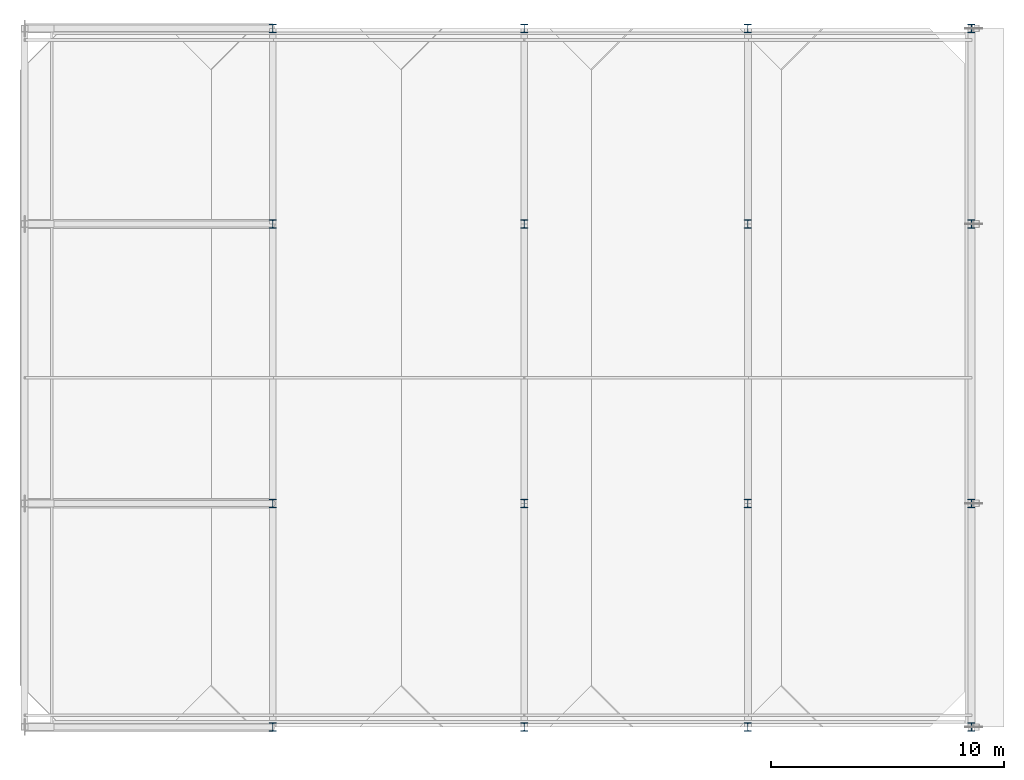
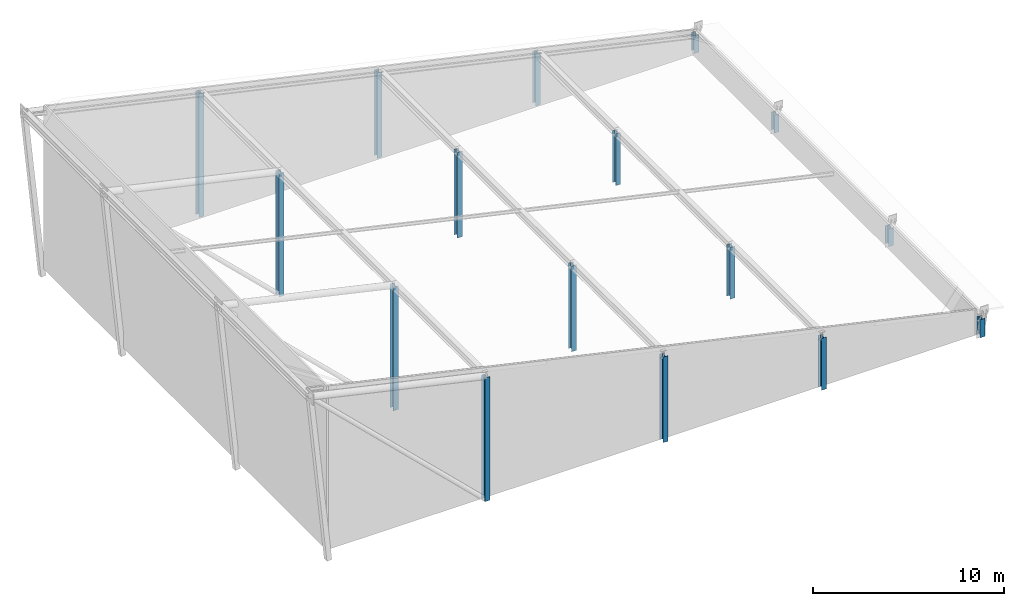
# One storey, part 1 of 4: 16 columns.
"""IFC4 building model written with IfcOpenShell, lengths in metres."""

from ifc_helpers import new_model, si_unit, direction, frame, origin, origin_2d, place, context, subcontext, project, spatial, i_section, extrude, material, material_profile, profile_set, type_object, element, save


model = new_model("IFC4")

# Units and contexts
model_context = context("Model", 3, precision=1e-05, world=origin(), true_north=direction((0.0, 1.0)))
body_context = subcontext(model_context, "Body", "Model", "MODEL_VIEW")
ifc_project = project(units=[si_unit("LENGTHUNIT", "METRE"), si_unit("AREAUNIT", "SQUARE_METRE"), si_unit("VOLUMEUNIT", "CUBIC_METRE"), si_unit("PLANEANGLEUNIT", "RADIAN"), si_unit("MASSUNIT", "GRAM", prefix="KILO")], contexts=[model_context])

# Site, building, storey
site_placement = place(None, origin())
site = spatial("IfcSite", under=ifc_project, at=site_placement, CompositionType="ELEMENT")
building_placement = place(site_placement, origin())
building = spatial("IfcBuilding", under=site, at=building_placement, Name="Zereglee Splitstone Museum", CompositionType="ELEMENT")
storey_placement = place(building_placement, frame((0.0, 0.0, 29.699951171875)))
storey = spatial("IfcBuildingStorey", under=building, at=storey_placement, Name="RF", CompositionType="ELEMENT", Elevation=29.699951171875)

# Columns
ifc_material = material(Name="Steel S355J2", Category="steel")
ifc_material_profile = material_profile(ifc_material, i_section(OverallWidth=0.300048828125, OverallDepth=0.360107421875, WebThickness=0.012451171875, FlangeThickness=0.0224609375, FilletRadius=0.027099609375, at=origin_2d()), Name="HE 360 B")
ifc_profile_set = profile_set([ifc_material_profile], Name="Steel S355J2")
column_type = type_object("IfcColumnType", Name="C-16", PredefinedType="COLUMN", material=ifc_profile_set)
for number, where, z_axis, x_axis, name in (
    (1, (9.60009765625, 0.0, 0.0), (0.0, 0.0, 1.0), (1.0, 0.0, 0.0), "Roof Support Column RF-V1 (9.6,0.0)"),
    (2, (9.60009765625, 9.60009765625, 0.0), (0.0, 0.0, 1.0), (1.0, 0.0, 0.0), "Roof Support Column RF-V1 (9.6,9.6)"),
    (3, (9.60009765625, 21.60009765625, 0.0), (0.0, 0.0, 1.0), (1.0, 0.0, 0.0), "Roof Support Column RF-V1 (9.6,21.6)"),
    (4, (9.60009765625, 30.0, 0.0), (0.0, 0.0, 1.0), (1.0, 0.0, 0.0), "Roof Support Column RF-V1 (9.6,30.0)"),
):
    element("IfcColumn", number, at=place(storey_placement, frame(where, z_axis=z_axis, x_axis=x_axis)), inside=storey, type_object=column_type, Name=name, PredefinedType="COLUMN", context=body_context, shape_type="SweptSolid", body=[
        extrude(i_section(OverallWidth=0.300048828125, OverallDepth=0.360107421875, WebThickness=0.012451171875, FlangeThickness=0.0224609375, FilletRadius=0.027099609375, at=origin_2d()), origin(), (0.0, 0.0, 1.0), 7.912353515625),
    ])
for number, where, z_axis, x_axis, name in (
    (5, (20.39990234375, 0.0, 0.0), (0.0, 0.0, 1.0), (1.0, 0.0, 0.0), "Roof Support Column RF-V1 (20.4,0.0)"),
    (6, (20.39990234375, 9.60009765625, 0.0), (0.0, 0.0, 1.0), (1.0, 0.0, 0.0), "Roof Support Column RF-V1 (20.4,9.6)"),
    (7, (20.39990234375, 21.60009765625, 0.0), (0.0, 0.0, 1.0), (1.0, 0.0, 0.0), "Roof Support Column RF-V1 (20.4,21.6)"),
    (8, (20.39990234375, 30.0, 0.0), (0.0, 0.0, 1.0), (1.0, 0.0, 0.0), "Roof Support Column RF-V1 (20.4,30.0)"),
):
    element("IfcColumn", number, at=place(storey_placement, frame(where, z_axis=z_axis, x_axis=x_axis)), inside=storey, type_object=column_type, Name=name, PredefinedType="COLUMN", context=body_context, shape_type="SweptSolid", body=[
        extrude(i_section(OverallWidth=0.300048828125, OverallDepth=0.360107421875, WebThickness=0.012451171875, FlangeThickness=0.0224609375, FilletRadius=0.027099609375, at=origin_2d()), origin(), (0.0, 0.0, 1.0), 5.47705078125),
    ])
for number, where, z_axis, x_axis, name in (
    (9, (30.0, 0.0, 0.0), (0.0, 0.0, 1.0), (1.0, 0.0, 0.0), "Roof Support Column RF-V1 (30.0,0.0)"),
    (10, (30.0, 9.60009765625, 0.0), (0.0, 0.0, 1.0), (1.0, 0.0, 0.0), "Roof Support Column RF-V1 (30.0,9.6)"),
    (11, (30.0, 21.60009765625, 0.0), (0.0, 0.0, 1.0), (1.0, 0.0, 0.0), "Roof Support Column RF-V1 (30.0,21.6)"),
    (12, (30.0, 30.0, 0.0), (0.0, 0.0, 1.0), (1.0, 0.0, 0.0), "Roof Support Column RF-V1 (30.0,30.0)"),
):
    element("IfcColumn", number, at=place(storey_placement, frame(where, z_axis=z_axis, x_axis=x_axis)), inside=storey, type_object=column_type, Name=name, PredefinedType="COLUMN", context=body_context, shape_type="SweptSolid", body=[
        extrude(i_section(OverallWidth=0.300048828125, OverallDepth=0.360107421875, WebThickness=0.012451171875, FlangeThickness=0.0224609375, FilletRadius=0.027099609375, at=origin_2d()), origin(), (0.0, 0.0, 1.0), 3.3125),
    ])
for number, where, z_axis, x_axis, name in (
    (13, (39.60009765625, 0.0, 0.0), (0.0, 0.0, 1.0), (1.0, 0.0, 0.0), "Roof Support Column RF-V1 (39.6,0.0)"),
    (14, (39.60009765625, 9.60009765625, 0.0), (0.0, 0.0, 1.0), (1.0, 0.0, 0.0), "Roof Support Column RF-V1 (39.6,9.6)"),
    (15, (39.60009765625, 21.60009765625, 0.0), (0.0, 0.0, 1.0), (1.0, 0.0, 0.0), "Roof Support Column RF-V1 (39.6,21.6)"),
    (16, (39.60009765625, 30.0, 0.0), (0.0, 0.0, 1.0), (1.0, 0.0, 0.0), "Roof Support Column RF-V1 (39.6,30.0)"),
):
    element("IfcColumn", number, at=place(storey_placement, frame(where, z_axis=z_axis, x_axis=x_axis)), inside=storey, type_object=column_type, Name=name, PredefinedType="COLUMN", context=body_context, shape_type="SweptSolid", body=[
        extrude(i_section(OverallWidth=0.300048828125, OverallDepth=0.360107421875, WebThickness=0.012451171875, FlangeThickness=0.0224609375, FilletRadius=0.027099609375, at=origin_2d()), origin(), (0.0, 0.0, 1.0), 1.147705078125),
    ])

save(model, "model.ifc")
